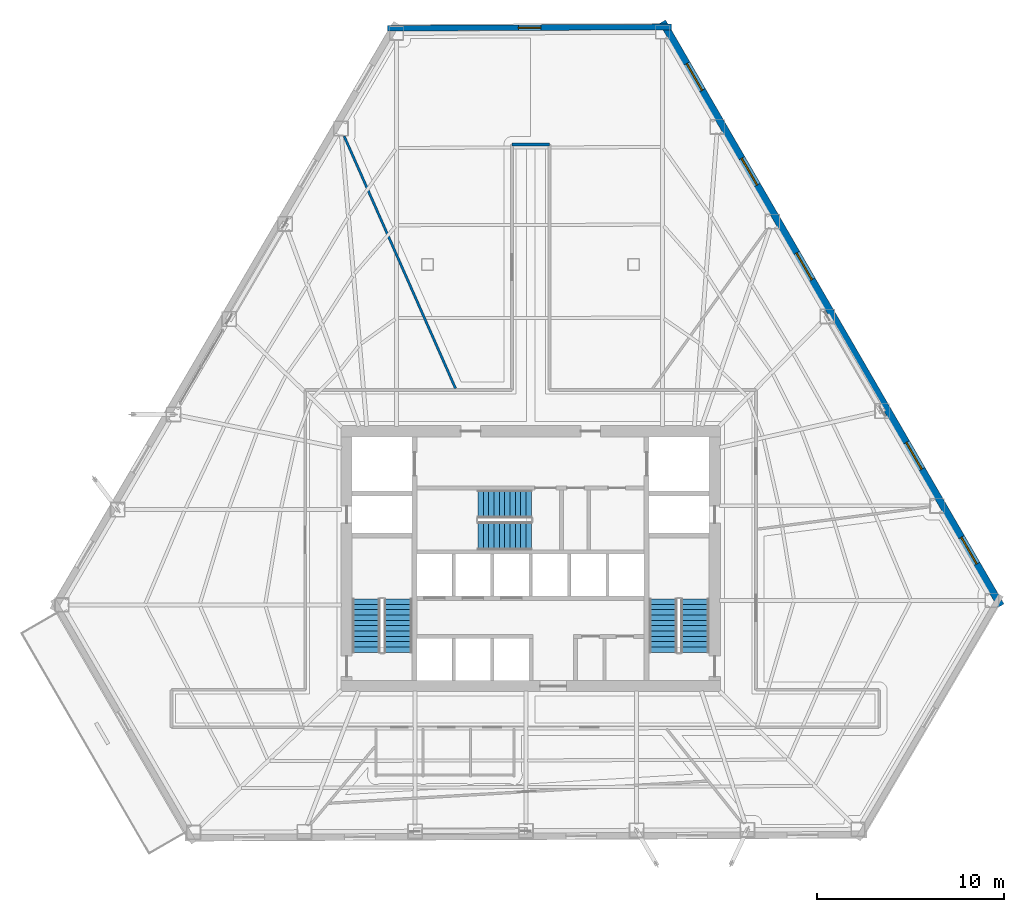
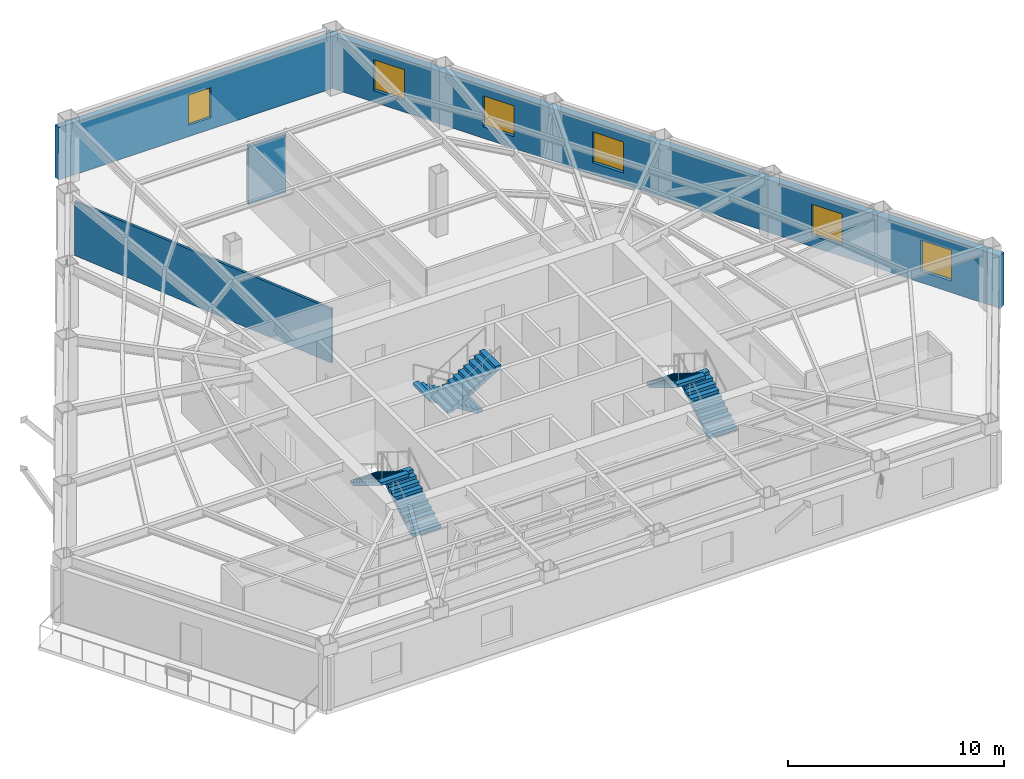
# One storey, part 11 of 15: 6 stair flights, 6 windows, 4 walls, 6 openings, 3 elements without a shape of their own.
"""IFC4 building model written with IfcOpenShell, lengths in metres."""

from ifc_helpers import new_model, si_unit, direction, frame, frame_2d, origin, place, context, subcontext, project, spatial, polyline, rectangle, outline, extrude, material, layer, layer_set, type_object, element, fill, aggregate, save


model = new_model("IFC4")

# Units and contexts
model_context = context("Model", 3, precision=1e-05, world=origin(), true_north=direction((0.0, 1.0)))
body_context = subcontext(model_context, "Body", "Model", "MODEL_VIEW")
ifc_project = project(units=[si_unit("LENGTHUNIT", "METRE"), si_unit("AREAUNIT", "SQUARE_METRE"), si_unit("VOLUMEUNIT", "CUBIC_METRE"), si_unit("PLANEANGLEUNIT", "RADIAN"), si_unit("MASSUNIT", "GRAM", prefix="KILO")], contexts=[model_context])

# Site, building, storey
site_placement = place(None, origin())
site = spatial("IfcSite", under=ifc_project, at=site_placement, CompositionType="ELEMENT")
building_placement = place(site_placement, origin())
building = spatial("IfcBuilding", under=site, at=building_placement, Name="Kavelnor Concourse Tower", CompositionType="ELEMENT")
storey_placement = place(building_placement, frame((0.0, 0.0, 67.60009765625)))
storey = spatial("IfcBuildingStorey", under=building, at=storey_placement, Name="L17", CompositionType="ELEMENT", Elevation=67.60009765625)

# Wall, opening, window
ifc_material_1 = material(Name="Buff ironspot clay face brick masonry", Category="masonry")
ifc_layer_1 = layer(ifc_material_1, 0.300048828125, Name="Buff ironspot clay face brick masonry")
ifc_layer_set_1 = layer_set([ifc_layer_1], Name="Buff ironspot clay face brick masonry")
wall_type_1 = type_object("IfcWallType", Name="WL-EXT-BUFF-BRICK-FOLD-300", PredefinedType="STANDARD", material=ifc_layer_set_1)
wall_1_placement = place(storey_placement, frame((30.371826171875, 44.397705078125, 0.0), z_axis=(0.0, 0.0, 1.0), x_axis=(0.999989810993, 0.00451418997, 0.0)))
wall_1 = element("IfcWall", 1, at=wall_1_placement, inside=storey, type_object=wall_type_1, Name="L17 Exterior Brick Facade Wall E0", PredefinedType="STANDARD", context=body_context, shape_type="SweptSolid", body=[
    extrude(rectangle(XDim=15.143310546875, YDim=0.300048828125, at=frame_2d((7.57177734375, 0.0))), origin(), (0.0, 0.0, 1.0), 2.969970703125),
])
opening_1_placement = place(wall_1_placement, frame((6.971435546875, 0.0, 0.64990234375)))
opening_1 = element("IfcOpeningElement", 2, at=opening_1_placement, cuts=wall_1, Name="Opening W-05", PredefinedType="OPENING", context=body_context, shape_type="SweptSolid", body=[
    extrude(rectangle(XDim=1.199951171875, YDim=1.699951171875, at=frame_2d((0.60009765625, 0.85009765625))), frame((0.0, 0.16015625, 0.0), z_axis=(0.0, -1.0, 0.0), x_axis=(1.0, 0.0, 0.0)), (0.0, 0.0, 1.0), 0.320068359375),
])
ifc_material_2 = material(Name="Double low-E argon insulated glazing", Category="glass")
window_type_1 = type_object("IfcWindowType", Name="WIN-FOLD-1200", PartitioningType="SINGLE_PANEL", PredefinedType="WINDOW", material=ifc_material_2)
window_1_placement = place(opening_1_placement, origin())
window_1 = element("IfcWindow", 3, at=window_1_placement, inside=storey, type_object=window_type_1, Name="L17 Chamfer-Fold Facet Window C0", OverallHeight=1.699951171875, OverallWidth=1.199951171875, PartitioningType="SINGLE_PANEL", PredefinedType="WINDOW", context=body_context, shape_type="SweptSolid", body=[
    extrude(rectangle(XDim=1.199951171875, YDim=1.699951171875, at=frame_2d((0.60009765625, 0.85009765625))), frame((0.0, 0.030029296875, 0.0), z_axis=(0.0, -1.0, 0.0), x_axis=(1.0, 0.0, 0.0)), (0.0, 0.0, 1.0), 0.06005859375),
])
fill(opening_1, window_1)

# Wall, openings, windows
ifc_material_3 = material(Name="Red-ochre clay face brick masonry", Category="masonry")
ifc_layer_2 = layer(ifc_material_3, 0.3798828125, Name="Red-ochre clay face brick masonry")
ifc_layer_set_2 = layer_set([ifc_layer_2], Name="Red-ochre clay face brick masonry")
wall_type_2 = type_object("IfcWallType", Name="WL-EXT-RED-BRICK-PIER-380", PredefinedType="STANDARD", material=ifc_layer_set_2)
wall_2_placement = place(storey_placement, frame((45.031982421875, 44.742919921875, 0.0), z_axis=(0.0, 0.0, 1.0), x_axis=(0.501444024373, -0.865190089183, 0.0)))
wall_2 = element("IfcWall", 4, at=wall_2_placement, inside=storey, type_object=wall_type_2, Name="L17 Exterior Brick Facade Wall E5", PredefinedType="STANDARD", context=body_context, shape_type="SweptSolid", body=[
    extrude(rectangle(XDim=36.01171875, YDim=0.3798828125, at=frame_2d((18.005859375, 0.0))), origin(), (0.0, 0.0, 1.0), 2.969970703125),
])
opening_2_placement = place(wall_2_placement, frame((31.785888671875, 0.0, 0.64990234375)))
opening_2 = element("IfcOpeningElement", 5, at=opening_2_placement, cuts=wall_2, Name="Opening W-01", PredefinedType="OPENING", context=body_context, shape_type="SweptSolid", body=[
    extrude(rectangle(XDim=1.64990234375, YDim=1.75, at=frame_2d((0.824951171875, 0.875))), frame((0.0, 0.199951171875, 0.0), z_axis=(0.0, -1.0, 0.0), x_axis=(1.0, 0.0, 0.0)), (0.0, 0.0, 1.0), 0.39990234375),
])
opening_3_placement = place(wall_2_placement, frame((25.943603515625, 0.0, 0.64990234375)))
opening_3 = element("IfcOpeningElement", 6, at=opening_3_placement, cuts=wall_2, Name="Opening W-01", PredefinedType="OPENING", context=body_context, shape_type="SweptSolid", body=[
    extrude(rectangle(XDim=1.64990234375, YDim=1.75, at=frame_2d((0.824951171875, 0.875))), frame((0.0, 0.199951171875, 0.0), z_axis=(0.0, -1.0, 0.0), x_axis=(1.0, 0.0, 0.0)), (0.0, 0.0, 1.0), 0.39990234375),
])
opening_4_placement = place(wall_2_placement, frame((14.2587890625, 0.0, 0.64990234375)))
opening_4 = element("IfcOpeningElement", 7, at=opening_4_placement, cuts=wall_2, Name="Opening W-01", PredefinedType="OPENING", context=body_context, shape_type="SweptSolid", body=[
    extrude(rectangle(XDim=1.64990234375, YDim=1.75, at=frame_2d((0.824951171875, 0.875))), frame((0.0, 0.199951171875, 0.0), z_axis=(0.0, -1.0, 0.0), x_axis=(1.0, 0.0, 0.0)), (0.0, 0.0, 1.0), 0.39990234375),
])
opening_5_placement = place(wall_2_placement, frame((8.41650390625, 0.0, 0.64990234375)))
opening_5 = element("IfcOpeningElement", 8, at=opening_5_placement, cuts=wall_2, Name="Opening W-01", PredefinedType="OPENING", context=body_context, shape_type="SweptSolid", body=[
    extrude(rectangle(XDim=1.64990234375, YDim=1.75, at=frame_2d((0.824951171875, 0.875))), frame((0.0, 0.199951171875, 0.0), z_axis=(0.0, -1.0, 0.0), x_axis=(1.0, 0.0, 0.0)), (0.0, 0.0, 1.0), 0.39990234375),
])
opening_6_placement = place(wall_2_placement, frame((2.57421875, 0.0, 0.64990234375)))
opening_6 = element("IfcOpeningElement", 9, at=opening_6_placement, cuts=wall_2, Name="Opening W-01", PredefinedType="OPENING", context=body_context, shape_type="SweptSolid", body=[
    extrude(rectangle(XDim=1.64990234375, YDim=1.75, at=frame_2d((0.824951171875, 0.875))), frame((0.0, 0.199951171875, 0.0), z_axis=(0.0, -1.0, 0.0), x_axis=(1.0, 0.0, 0.0)), (0.0, 0.0, 1.0), 0.39990234375),
])
window_type_2 = type_object("IfcWindowType", Name="WIN-PIER-Z1-1800", PartitioningType="SINGLE_PANEL", PredefinedType="WINDOW", material=ifc_material_2)
window_2_placement = place(opening_2_placement, origin())
window_2 = element("IfcWindow", 10, at=window_2_placement, inside=storey, type_object=window_type_2, Name="L17 Deep-Set Brick Pier Window F2-B0", OverallHeight=1.75, OverallWidth=1.64990234375, PartitioningType="SINGLE_PANEL", PredefinedType="WINDOW", context=body_context, shape_type="SweptSolid", body=[
    extrude(rectangle(XDim=1.64990234375, YDim=1.75, at=frame_2d((0.824951171875, 0.875))), frame((0.0, 0.030029296875, 0.0), z_axis=(0.0, -1.0, 0.0), x_axis=(1.0, 0.0, 0.0)), (0.0, 0.0, 1.0), 0.06005859375),
])
fill(opening_2, window_2)
window_3_placement = place(opening_3_placement, origin())
window_3 = element("IfcWindow", 11, at=window_3_placement, inside=storey, type_object=window_type_2, Name="L17 Deep-Set Brick Pier Window F2-B1", OverallHeight=1.75, OverallWidth=1.64990234375, PartitioningType="SINGLE_PANEL", PredefinedType="WINDOW", context=body_context, shape_type="SweptSolid", body=[
    extrude(rectangle(XDim=1.64990234375, YDim=1.75, at=frame_2d((0.824951171875, 0.875))), frame((0.0, 0.030029296875, 0.0), z_axis=(0.0, -1.0, 0.0), x_axis=(1.0, 0.0, 0.0)), (0.0, 0.0, 1.0), 0.06005859375),
])
fill(opening_3, window_3)
window_4_placement = place(opening_4_placement, origin())
window_4 = element("IfcWindow", 12, at=window_4_placement, inside=storey, type_object=window_type_2, Name="L17 Deep-Set Brick Pier Window F2-B3", OverallHeight=1.75, OverallWidth=1.64990234375, PartitioningType="SINGLE_PANEL", PredefinedType="WINDOW", context=body_context, shape_type="SweptSolid", body=[
    extrude(rectangle(XDim=1.64990234375, YDim=1.75, at=frame_2d((0.824951171875, 0.875))), frame((0.0, 0.030029296875, 0.0), z_axis=(0.0, -1.0, 0.0), x_axis=(1.0, 0.0, 0.0)), (0.0, 0.0, 1.0), 0.06005859375),
])
fill(opening_4, window_4)
window_5_placement = place(opening_5_placement, origin())
window_5 = element("IfcWindow", 13, at=window_5_placement, inside=storey, type_object=window_type_2, Name="L17 Deep-Set Brick Pier Window F2-B4", OverallHeight=1.75, OverallWidth=1.64990234375, PartitioningType="SINGLE_PANEL", PredefinedType="WINDOW", context=body_context, shape_type="SweptSolid", body=[
    extrude(rectangle(XDim=1.64990234375, YDim=1.75, at=frame_2d((0.824951171875, 0.875))), frame((0.0, 0.030029296875, 0.0), z_axis=(0.0, -1.0, 0.0), x_axis=(1.0, 0.0, 0.0)), (0.0, 0.0, 1.0), 0.06005859375),
])
fill(opening_5, window_5)
window_6_placement = place(opening_6_placement, origin())
window_6 = element("IfcWindow", 14, at=window_6_placement, inside=storey, type_object=window_type_2, Name="L17 Deep-Set Brick Pier Window F2-B5", OverallHeight=1.75, OverallWidth=1.64990234375, PartitioningType="SINGLE_PANEL", PredefinedType="WINDOW", context=body_context, shape_type="SweptSolid", body=[
    extrude(rectangle(XDim=1.64990234375, YDim=1.75, at=frame_2d((0.824951171875, 0.875))), frame((0.0, 0.030029296875, 0.0), z_axis=(0.0, -1.0, 0.0), x_axis=(1.0, 0.0, 0.0)), (0.0, 0.0, 1.0), 0.06005859375),
])
fill(opening_6, window_6)

# Walls
ifc_material_4 = material(Name="Gypsum plasterboard on light-gauge steel studs", Category="steel")
ifc_layer_3 = layer(ifc_material_4, 0.14501953125, Name="Gypsum plasterboard on light-gauge steel studs")
ifc_layer_set_3 = layer_set([ifc_layer_3], Name="Gypsum plasterboard on light-gauge steel studs")
wall_type_3 = type_object("IfcWallType", Name="WL-INT-CORR-145", PredefinedType="PARTITIONING", material=ifc_layer_set_3)
wall_3_placement = place(storey_placement, frame((37.0, 38.199951171875, 0.0), z_axis=(0.0, 0.0, 1.0), x_axis=(1.0, 0.0, 0.0)))
element("IfcWall", 15, at=wall_3_placement, inside=storey, type_object=wall_type_3, Name="L17 Corridor Wall WL-L17-CR-05", PredefinedType="PARTITIONING", context=body_context, shape_type="SweptSolid", body=[
    extrude(rectangle(XDim=2.0, YDim=0.14501953125, at=frame_2d((1.0, 0.0))), origin(), (0.0, 0.0, 1.0), 3.27783203125),
])
ifc_layer_4 = layer(ifc_material_4, 0.125, Name="Gypsum plasterboard on light-gauge steel studs")
ifc_layer_set_4 = layer_set([ifc_layer_4], Name="Gypsum plasterboard on light-gauge steel studs")
wall_type_4 = type_object("IfcWallType", Name="WL-INT-SUITE-125", PredefinedType="PARTITIONING", material=ifc_layer_set_4)
wall_4_placement = place(storey_placement, frame((33.99169921875, 25.180419921875, 0.0), z_axis=(0.0, 0.0, 1.0), x_axis=(-0.403832220448, 0.914833065498, 0.0)))
element("IfcWall", 16, at=wall_4_placement, inside=storey, type_object=wall_type_4, Name="L17 Radial Suite Partition 03", PredefinedType="PARTITIONING", context=body_context, shape_type="SweptSolid", body=[
    extrude(rectangle(XDim=14.7119140625, YDim=0.125, at=frame_2d((7.35595703125, 0.0))), origin(), (0.0, 0.0, 1.0), 3.056884765625),
])

# Stair, stair flights
ifc_material_5 = material(Name="Concrete C40/50", Category="concrete")
stair_type = type_object("IfcStairType", Name="STR-CORE-1500", PredefinedType="HALF_TURN_STAIR", material=ifc_material_5)
stair_1_placement = place(storey_placement, origin())
stair_1 = element("IfcStair", 17, at=stair_1_placement, inside=storey, type_object=stair_type, Name="L17 ST1", PredefinedType="HALF_TURN_STAIR")
stair_flight_type = type_object("IfcStairFlightType", Name="STR-FLIGHT-1500", PredefinedType="STRAIGHT", material=ifc_material_5)
stair_flight_1_placement = place(storey_placement, frame((30.929931640625, 11.10009765625, 0.0), z_axis=(0.0, 0.0, 1.0), x_axis=(0.0, 1.0, 0.0)))
stair_flight_1 = element("IfcStairFlight", 18, at=stair_flight_1_placement, type_object=stair_flight_type, Name="ST1 flight 1", NumberOfRisers=11, NumberOfTreads=10, PredefinedType="STRAIGHT", RiserHeight=0.175, TreadLength=0.285, context=body_context, shape_type="SweptSolid", body=[
    extrude(outline(polyline([(0.0, 0.0), (0.0, 0.175048828125), (0.284912109375, 0.175048828125), (0.284912109375, 0.35009765625), (0.570068359375, 0.35009765625), (0.570068359375, 0.52490234375), (0.85498046875, 0.52490234375), (0.85498046875, 0.699951171875), (1.139892578125, 0.699951171875), (1.139892578125, 0.875), (1.425048828125, 0.875), (1.425048828125, 1.050048828125), (1.7099609375, 1.050048828125), (1.7099609375, 1.22509765625), (1.9951171875, 1.22509765625), (1.9951171875, 1.39990234375), (2.280029296875, 1.39990234375), (2.280029296875, 1.574951171875), (2.56494140625, 1.574951171875), (2.56494140625, 1.75), (2.85009765625, 1.75), (2.85009765625, 1.925048828125), (2.85009765625, 1.573974609375), (0.286376953125, 0.0), (0.0, 0.0)])), frame((0.0, 0.75, 0.0), z_axis=(0.0, -1.0, 0.0), x_axis=(1.0, 0.0, 0.0)), (0.0, 0.0, 1.0), 1.5),
])
stair_flight_2_placement = place(storey_placement, frame((29.22998046875, 13.949951171875, 1.9248046875), z_axis=(0.0, 0.0, 1.0), x_axis=(0.0, -1.0, 0.0)))
stair_flight_2 = element("IfcStairFlight", 19, at=stair_flight_2_placement, type_object=stair_flight_type, Name="ST1 flight 2", NumberOfRisers=11, NumberOfTreads=10, PredefinedType="STRAIGHT", RiserHeight=0.175, TreadLength=0.285, context=body_context, shape_type="SweptSolid", body=[
    extrude(outline(polyline([(0.0, 0.0), (0.0, 0.175048828125), (0.284912109375, 0.175048828125), (0.284912109375, 0.35009765625), (0.570068359375, 0.35009765625), (0.570068359375, 0.52490234375), (0.85498046875, 0.52490234375), (0.85498046875, 0.699951171875), (1.139892578125, 0.699951171875), (1.139892578125, 0.875), (1.425048828125, 0.875), (1.425048828125, 1.050048828125), (1.7099609375, 1.050048828125), (1.7099609375, 1.22509765625), (1.9951171875, 1.22509765625), (1.9951171875, 1.39990234375), (2.280029296875, 1.39990234375), (2.280029296875, 1.574951171875), (2.56494140625, 1.574951171875), (2.56494140625, 1.75), (2.85009765625, 1.75), (2.85009765625, 1.925048828125), (2.85009765625, 1.573974609375), (0.286376953125, 0.0), (0.0, 0.0)])), frame((0.0, 0.75, 0.0), z_axis=(0.0, -1.0, 0.0), x_axis=(1.0, 0.0, 0.0)), (0.0, 0.0, 1.0), 1.5),
])
aggregate(stair_1, [stair_flight_1, stair_flight_2])

stair_2_placement = place(storey_placement, origin())
stair_2 = element("IfcStair", 20, at=stair_2_placement, inside=storey, type_object=stair_type, Name="L17 ST2", PredefinedType="HALF_TURN_STAIR")
stair_flight_3_placement = place(storey_placement, frame((46.77001953125, 11.10009765625, 0.0), z_axis=(0.0, 0.0, 1.0), x_axis=(0.0, 1.0, 0.0)))
stair_flight_3 = element("IfcStairFlight", 21, at=stair_flight_3_placement, type_object=stair_flight_type, Name="ST2 flight 1", NumberOfRisers=11, NumberOfTreads=10, PredefinedType="STRAIGHT", RiserHeight=0.175, TreadLength=0.285, context=body_context, shape_type="SweptSolid", body=[
    extrude(outline(polyline([(0.0, 0.0), (0.0, 0.175048828125), (0.284912109375, 0.175048828125), (0.284912109375, 0.35009765625), (0.570068359375, 0.35009765625), (0.570068359375, 0.52490234375), (0.85498046875, 0.52490234375), (0.85498046875, 0.699951171875), (1.139892578125, 0.699951171875), (1.139892578125, 0.875), (1.425048828125, 0.875), (1.425048828125, 1.050048828125), (1.7099609375, 1.050048828125), (1.7099609375, 1.22509765625), (1.9951171875, 1.22509765625), (1.9951171875, 1.39990234375), (2.280029296875, 1.39990234375), (2.280029296875, 1.574951171875), (2.56494140625, 1.574951171875), (2.56494140625, 1.75), (2.85009765625, 1.75), (2.85009765625, 1.925048828125), (2.85009765625, 1.573974609375), (0.286376953125, 0.0), (0.0, 0.0)])), frame((0.0, 0.75, 0.0), z_axis=(0.0, -1.0, 0.0), x_axis=(1.0, 0.0, 0.0)), (0.0, 0.0, 1.0), 1.5),
])
stair_flight_4_placement = place(storey_placement, frame((45.070068359375, 13.949951171875, 1.9248046875), z_axis=(0.0, 0.0, 1.0), x_axis=(0.0, -1.0, 0.0)))
stair_flight_4 = element("IfcStairFlight", 22, at=stair_flight_4_placement, type_object=stair_flight_type, Name="ST2 flight 2", NumberOfRisers=11, NumberOfTreads=10, PredefinedType="STRAIGHT", RiserHeight=0.175, TreadLength=0.285, context=body_context, shape_type="SweptSolid", body=[
    extrude(outline(polyline([(0.0, 0.0), (0.0, 0.175048828125), (0.284912109375, 0.175048828125), (0.284912109375, 0.35009765625), (0.570068359375, 0.35009765625), (0.570068359375, 0.52490234375), (0.85498046875, 0.52490234375), (0.85498046875, 0.699951171875), (1.139892578125, 0.699951171875), (1.139892578125, 0.875), (1.425048828125, 0.875), (1.425048828125, 1.050048828125), (1.7099609375, 1.050048828125), (1.7099609375, 1.22509765625), (1.9951171875, 1.22509765625), (1.9951171875, 1.39990234375), (2.280029296875, 1.39990234375), (2.280029296875, 1.574951171875), (2.56494140625, 1.574951171875), (2.56494140625, 1.75), (2.85009765625, 1.75), (2.85009765625, 1.925048828125), (2.85009765625, 1.573974609375), (0.286376953125, 0.0), (0.0, 0.0)])), frame((0.0, 0.75, 0.0), z_axis=(0.0, -1.0, 0.0), x_axis=(1.0, 0.0, 0.0)), (0.0, 0.0, 1.0), 1.5),
])
aggregate(stair_2, [stair_flight_3, stair_flight_4])

stair_3_placement = place(storey_placement, origin())
stair_3 = element("IfcStair", 23, at=stair_3_placement, inside=storey, type_object=stair_type, Name="L17 ST3", PredefinedType="HALF_TURN_STAIR")
stair_flight_5_placement = place(storey_placement, frame((38.0400390625, 19.010009765625, 0.0), z_axis=(0.0, 0.0, 1.0), x_axis=(-1.0, 0.0, 0.0)))
stair_flight_5 = element("IfcStairFlight", 24, at=stair_flight_5_placement, type_object=stair_flight_type, Name="ST3 flight 1", NumberOfRisers=11, NumberOfTreads=10, PredefinedType="STRAIGHT", RiserHeight=0.175, TreadLength=0.285, context=body_context, shape_type="SweptSolid", body=[
    extrude(outline(polyline([(0.0, 0.0), (0.0, 0.175048828125), (0.284912109375, 0.175048828125), (0.284912109375, 0.35009765625), (0.570068359375, 0.35009765625), (0.570068359375, 0.52490234375), (0.85498046875, 0.52490234375), (0.85498046875, 0.699951171875), (1.139892578125, 0.699951171875), (1.139892578125, 0.875), (1.425048828125, 0.875), (1.425048828125, 1.050048828125), (1.7099609375, 1.050048828125), (1.7099609375, 1.22509765625), (1.9951171875, 1.22509765625), (1.9951171875, 1.39990234375), (2.280029296875, 1.39990234375), (2.280029296875, 1.574951171875), (2.56494140625, 1.574951171875), (2.56494140625, 1.75), (2.85009765625, 1.75), (2.85009765625, 1.925048828125), (2.85009765625, 1.573974609375), (0.286376953125, 0.0), (0.0, 0.0)])), frame((0.0, 0.75, 0.0), z_axis=(0.0, -1.0, 0.0), x_axis=(1.0, 0.0, 0.0)), (0.0, 0.0, 1.0), 1.5),
])
stair_flight_6_placement = place(storey_placement, frame((35.18994140625, 17.31005859375, 1.9248046875), z_axis=(0.0, 0.0, 1.0), x_axis=(1.0, 0.0, 0.0)))
stair_flight_6 = element("IfcStairFlight", 25, at=stair_flight_6_placement, type_object=stair_flight_type, Name="ST3 flight 2", NumberOfRisers=11, NumberOfTreads=10, PredefinedType="STRAIGHT", RiserHeight=0.175, TreadLength=0.285, context=body_context, shape_type="SweptSolid", body=[
    extrude(outline(polyline([(0.0, 0.0), (0.0, 0.175048828125), (0.284912109375, 0.175048828125), (0.284912109375, 0.35009765625), (0.570068359375, 0.35009765625), (0.570068359375, 0.52490234375), (0.85498046875, 0.52490234375), (0.85498046875, 0.699951171875), (1.139892578125, 0.699951171875), (1.139892578125, 0.875), (1.425048828125, 0.875), (1.425048828125, 1.050048828125), (1.7099609375, 1.050048828125), (1.7099609375, 1.22509765625), (1.9951171875, 1.22509765625), (1.9951171875, 1.39990234375), (2.280029296875, 1.39990234375), (2.280029296875, 1.574951171875), (2.56494140625, 1.574951171875), (2.56494140625, 1.75), (2.85009765625, 1.75), (2.85009765625, 1.925048828125), (2.85009765625, 1.573974609375), (0.286376953125, 0.0), (0.0, 0.0)])), frame((0.0, 0.75, 0.0), z_axis=(0.0, -1.0, 0.0), x_axis=(1.0, 0.0, 0.0)), (0.0, 0.0, 1.0), 1.5),
])
aggregate(stair_3, [stair_flight_5, stair_flight_6])

save(model, "model.ifc")
